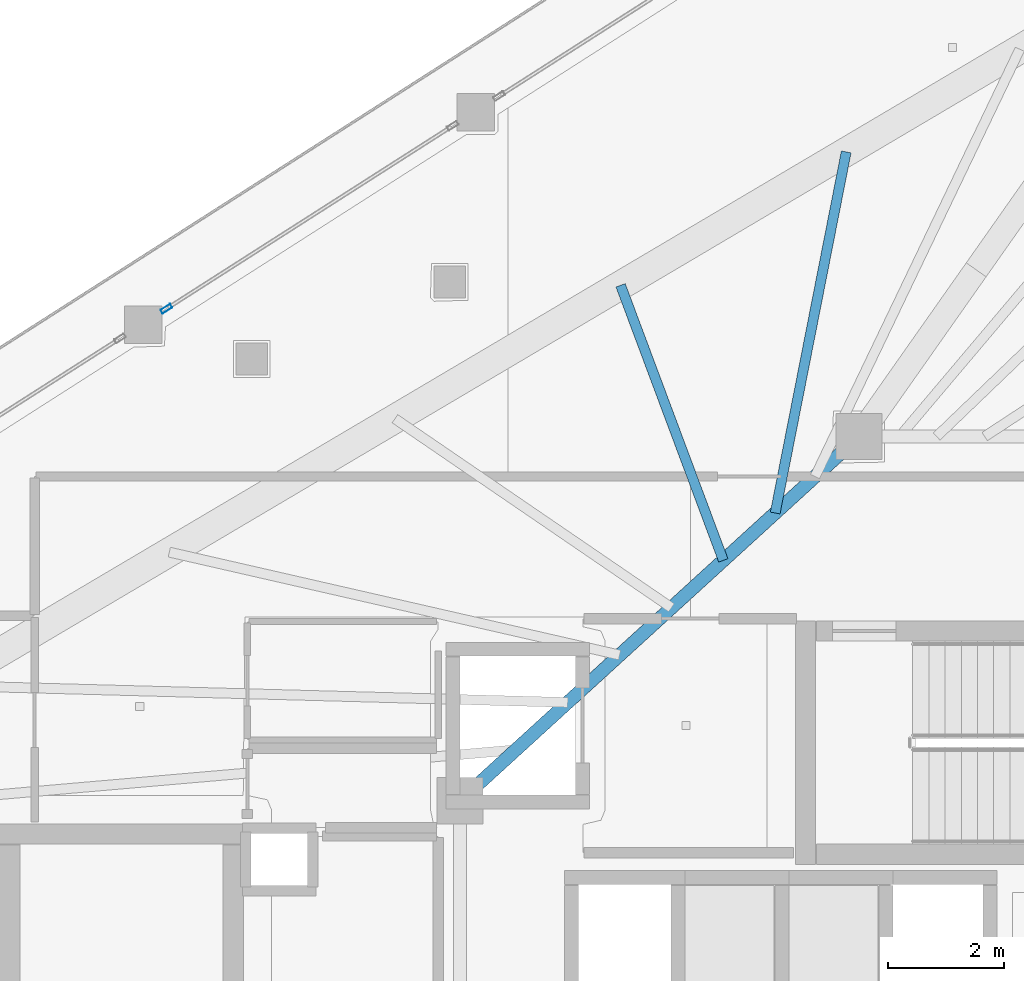
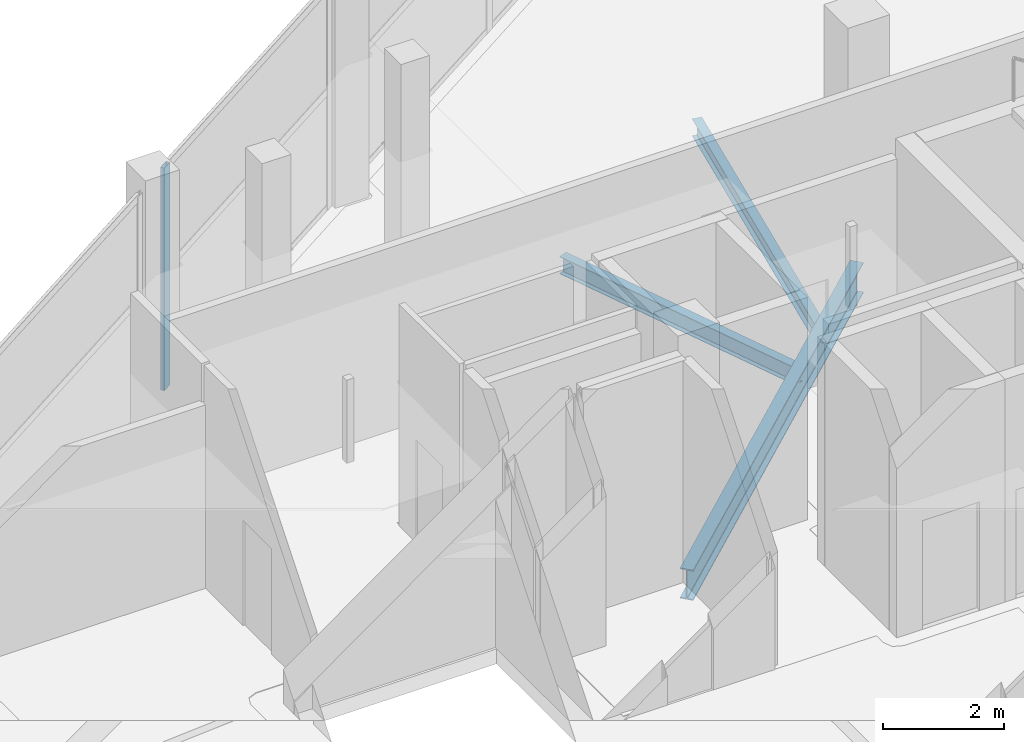
# One storey, part 16 of 36: 3 beams, 1 member, 1 element without a shape of its own.
"""IFC4 building model written with IfcOpenShell, lengths in metres."""

from ifc_helpers import new_model, si_unit, direction, frame, origin, origin_2d, place, context, subcontext, project, spatial, hollow_rectangle, i_section, extrude, material, layer, layer_set, material_profile, profile_set, type_object, element, aggregate, save


model = new_model("IFC4")

# Units and contexts
model_context = context("Model", 3, precision=1e-05, world=origin(), true_north=direction((0.0, 1.0)))
body_context = subcontext(model_context, "Body", "Model", "MODEL_VIEW")
ifc_project = project(units=[si_unit("LENGTHUNIT", "METRE"), si_unit("AREAUNIT", "SQUARE_METRE"), si_unit("VOLUMEUNIT", "CUBIC_METRE"), si_unit("PLANEANGLEUNIT", "RADIAN"), si_unit("MASSUNIT", "GRAM", prefix="KILO")], contexts=[model_context])

# Site, building, storey
site_placement = place(None, origin())
site = spatial("IfcSite", under=ifc_project, at=site_placement, CompositionType="ELEMENT")
building_placement = place(site_placement, origin())
building = spatial("IfcBuilding", under=site, at=building_placement, Name="Qorvath Tower", CompositionType="ELEMENT")
storey_placement = place(building_placement, frame((0.0, 0.0, 255.0)))
storey = spatial("IfcBuildingStorey", under=building, at=storey_placement, Name="L59", CompositionType="ELEMENT", Elevation=255.0)

# Beams
ifc_material_1 = material(Name="Steel ASTM A992 Grade 50", Category="steel")
ifc_material_profile_1 = material_profile(ifc_material_1, i_section(OverallWidth=0.22998046875, OverallDepth=0.616943359375, WebThickness=0.01318359375, FlangeThickness=0.022216796875, FilletRadius=0.014892578125, at=origin_2d()), Name="W24x94")
ifc_profile_set_1 = profile_set([ifc_material_profile_1], Name="Steel ASTM A992 Grade 50")
beam_type_1 = type_object("IfcBeamType", Name="BM-FG6", PredefinedType="BEAM", material=ifc_profile_set_1)
beam_1_placement = place(storey_placement, frame((-30.5, 5.14990234375, -0.6083984375), z_axis=(0.73847813985, 0.6742774184, 0.0), x_axis=(-0.6742774184, 0.73847813985, 0.0)))
element("IfcBeam", 1, at=beam_1_placement, inside=storey, type_object=beam_type_1, Name="Core Ring Girder CC5-CC1 L59", PredefinedType="BEAM", context=body_context, shape_type="SweptSolid", body=[
    extrude(i_section(OverallWidth=0.22998046875, OverallDepth=0.616943359375, WebThickness=0.01318359375, FlangeThickness=0.022216796875, FilletRadius=0.014892578125, at=origin_2d()), origin(), (0.0, 0.0, 1.0), 9.343505859375),
])
ifc_material_2 = material(Name="Steel ASTM A992 Grade 50", Category="steel")
ifc_material_profile_2 = material_profile(ifc_material_2, i_section(OverallWidth=0.1708984375, OverallDepth=0.35107421875, WebThickness=0.0068359375, FlangeThickness=0.009765625, FilletRadius=0.010009765625, at=origin_2d()), Name="W14x30")
ifc_profile_set_2 = profile_set([ifc_material_profile_2], Name="Steel ASTM A992 Grade 50")
beam_type_2 = type_object("IfcBeamType", Name="BM-FJ4", PredefinedType="JOIST", material=ifc_profile_set_2)
beam_2_placement = place(storey_placement, frame((-25.946044921875, 9.30810546875, -0.4755859375), z_axis=(-0.349858795354, 0.936802446257, 0.0), x_axis=(-0.936802446257, -0.349858795354, 0.0)))
element("IfcBeam", 2, at=beam_2_placement, inside=storey, type_object=beam_type_2, Name="Composite Floor Joist NW5 L59", PredefinedType="JOIST", context=body_context, shape_type="SweptSolid", body=[
    extrude(i_section(OverallWidth=0.1708984375, OverallDepth=0.35107421875, WebThickness=0.0068359375, FlangeThickness=0.009765625, FilletRadius=0.010009765625, at=origin_2d()), origin(), (0.0, 0.0, 1.0), 5.078857421875),
])
beam_3_placement = place(storey_placement, frame((-25.049072265625, 10.126953125, -0.4755859375), z_axis=(0.193040016911, 0.981190884523, 0.0), x_axis=(-0.981190884523, 0.193040016911, 0.0)))
element("IfcBeam", 3, at=beam_3_placement, inside=storey, type_object=beam_type_2, Name="Composite Floor Joist NW6 L59", PredefinedType="JOIST", context=body_context, shape_type="SweptSolid", body=[
    extrude(i_section(OverallWidth=0.1708984375, OverallDepth=0.35107421875, WebThickness=0.0068359375, FlangeThickness=0.009765625, FilletRadius=0.010009765625, at=origin_2d()), origin(), (0.0, 0.0, 1.0), 6.366455078125),
])

# Curtain wall, member
ifc_material_3 = material(Name="Anodised aluminium and triple low-E glass", Category="aluminium")
ifc_layer = layer(ifc_material_3, 0.179931640625)
ifc_layer_set = layer_set([ifc_layer], Name="CW-SYS-5")
curtain_wall_type = type_object("IfcCurtainWallType", Name="CW-SYS-5", PredefinedType="NOTDEFINED", material=ifc_layer_set)
curtain_wall_placement = place(storey_placement, origin())
curtain_wall = element("IfcCurtainWall", 4, at=curtain_wall_placement, inside=storey, type_object=curtain_wall_type, Name="Curtain Wall CW-5 CW-T-L59-16.2", PredefinedType="NOTDEFINED")
ifc_material_4 = material(Name="Anodised aluminium 6063-T6", Category="aluminium")
ifc_material_profile_3 = material_profile(ifc_material_4, hollow_rectangle(XDim=0.074951171875, YDim=0.199951171875, WallThickness=0.00390625, InnerFilletRadius=0.00390625, OuterFilletRadius=0.008056640625, at=origin_2d()), Name="CWM 200x75")
ifc_profile_set_3 = profile_set([ifc_material_profile_3], Name="Anodised aluminium 6063-T6")
member_type = type_object("IfcMemberType", Name="CWM-200", PredefinedType="MULLION", material=ifc_profile_set_3)
member_placement = place(storey_placement, frame((-35.5791015625, 13.660400390625, 0.0), z_axis=(0.0, 0.0, 1.0), x_axis=(0.538554959343, -0.842590384331, 0.0)))
member = element("IfcMember", 5, at=member_placement, type_object=member_type, Name="CW-5 mullion 2", PredefinedType="MULLION", context=body_context, shape_type="SweptSolid", body=[
    extrude(hollow_rectangle(XDim=0.074951171875, YDim=0.199951171875, WallThickness=0.00390625, InnerFilletRadius=0.00390625, OuterFilletRadius=0.008056640625, at=origin_2d()), origin(), (0.0, 0.0, 1.0), 4.510009765625),
])
aggregate(curtain_wall, [member])

save(model, "model.ifc")
